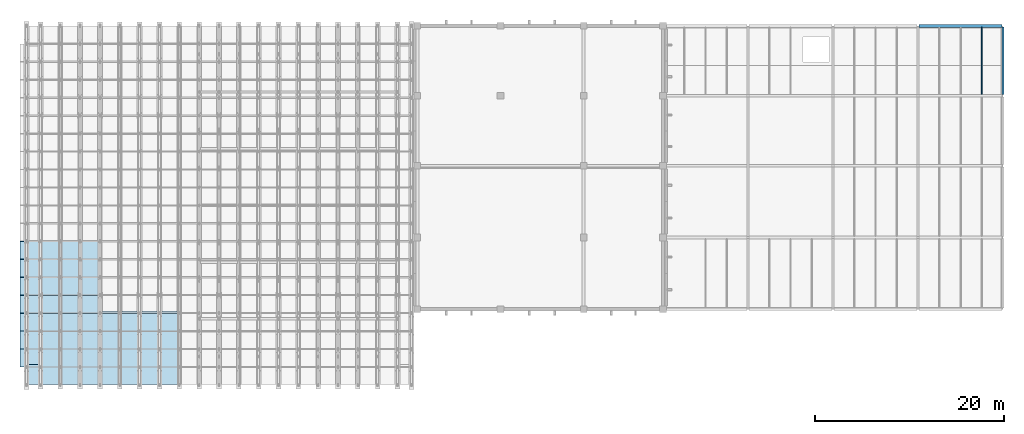
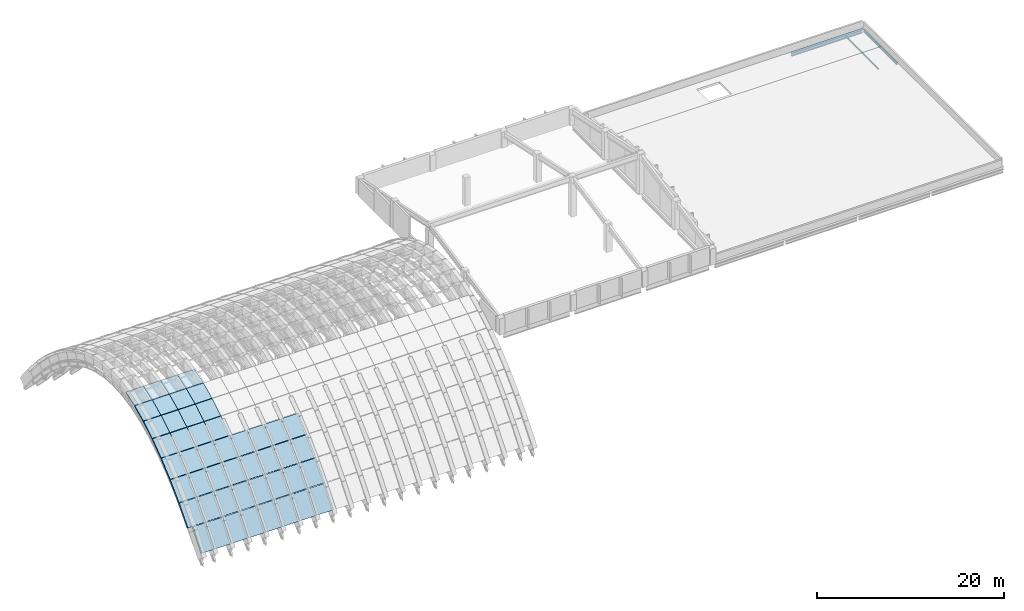
# One storey, part 50 of 67: 48 plates, 3 beams, 1 element without a shape of its own.
"""IFC4 building model written with IfcOpenShell, lengths in metres."""

from ifc_helpers import new_model, si_unit, direction, frame, origin, origin_2d, place, context, subcontext, project, spatial, polyline, i_section, outline, extrude, material, layer, layer_set, material_profile, profile_set, type_object, element, aggregate, save


model = new_model("IFC4")

# Units and contexts
model_context = context("Model", 3, precision=1e-05, world=origin(), true_north=direction((0.0, 1.0)))
body_context = subcontext(model_context, "Body", "Model", "MODEL_VIEW")
ifc_project = project(units=[si_unit("LENGTHUNIT", "METRE"), si_unit("AREAUNIT", "SQUARE_METRE"), si_unit("VOLUMEUNIT", "CUBIC_METRE"), si_unit("PLANEANGLEUNIT", "RADIAN"), si_unit("MASSUNIT", "GRAM", prefix="KILO")], contexts=[model_context])

# Site, building, storey
site_placement = place(None, origin())
site = spatial("IfcSite", under=ifc_project, at=site_placement, CompositionType="ELEMENT")
building_placement = place(site_placement, origin())
building = spatial("IfcBuilding", under=site, at=building_placement, Name="Shengluoqiao Park Theatre", CompositionType="ELEMENT")
storey_placement = place(building_placement, frame((0.0, 0.0, 28.60009765625)))
storey = spatial("IfcBuildingStorey", under=building, at=storey_placement, Name="Roof", CompositionType="ELEMENT", Elevation=28.60009765625)

# Beams
ifc_material_1 = material(Name="Steel Q355", Category="steel")
ifc_material_profile_1 = material_profile(ifc_material_1, i_section(OverallWidth=0.199951171875, OverallDepth=0.2939453125, WebThickness=0.008056640625, FlangeThickness=0.011962890625, FilletRadius=0.01611328125, at=origin_2d()), Name="HM 294x200x8x12")
ifc_profile_set_1 = profile_set([ifc_material_profile_1], Name="Steel Q355")
beam_type_1 = type_object("IfcBeamType", Name="STR-BM-G-HM294", PredefinedType="BEAM", material=ifc_profile_set_1)
beam_1_placement = place(storey_placement, frame((148.39990234375, 106.718994140625, -0.397216796875), z_axis=(0.0, 1.0, 0.0), x_axis=(-1.0, 0.0, 0.0)))
element("IfcBeam", 1, at=beam_1_placement, inside=storey, type_object=beam_type_1, Name="Roof Transverse Girder 02079", PredefinedType="BEAM", context=body_context, shape_type="SweptSolid", body=[
    extrude(i_section(OverallWidth=0.199951171875, OverallDepth=0.2939453125, WebThickness=0.008056640625, FlangeThickness=0.011962890625, FilletRadius=0.01611328125, at=origin_2d()), origin(), (0.0, 0.0, 1.0), 7.162109375),
])
ifc_material_profile_2 = material_profile(ifc_material_1, i_section(OverallWidth=0.300048828125, OverallDepth=0.43994140625, WebThickness=0.010986328125, FlangeThickness=0.01806640625, FilletRadius=0.02001953125, at=origin_2d()), Name="HM 440x300x11x18")
ifc_profile_set_2 = profile_set([ifc_material_profile_2], Name="Steel Q355")
beam_type_2 = type_object("IfcBeamType", Name="STR-BM-G-HM440", PredefinedType="BEAM", material=ifc_profile_set_2)
beam_2_placement = place(storey_placement, frame((139.51904296875, 114.0, -0.47021484375), z_axis=(1.0, 0.0, 0.0), x_axis=(0.0, 1.0, 0.0)))
element("IfcBeam", 2, at=beam_2_placement, inside=storey, type_object=beam_type_2, Name="Roof Primary Girder 02060", PredefinedType="BEAM", context=body_context, shape_type="SweptSolid", body=[
    extrude(i_section(OverallWidth=0.300048828125, OverallDepth=0.43994140625, WebThickness=0.010986328125, FlangeThickness=0.01806640625, FilletRadius=0.02001953125, at=origin_2d()), origin(), (0.0, 0.0, 1.0), 8.761962890625),
])
ifc_material_profile_3 = material_profile(ifc_material_1, i_section(OverallWidth=0.10009765625, OverallDepth=0.199951171875, WebThickness=0.005615234375, FlangeThickness=0.008056640625, FilletRadius=0.008056640625, at=origin_2d()), Name="HN 200x100x5.5x8")
ifc_profile_set_3 = profile_set([ifc_material_profile_3], Name="Steel Q355")
beam_type_3 = type_object("IfcBeamType", Name="STR-BM-J-HN200", PredefinedType="JOIST", material=ifc_profile_set_3)
beam_3_placement = place(storey_placement, frame((146.14990234375, 106.7451171875, -0.35009765625), z_axis=(0.0, 1.0, 0.0), x_axis=(-1.0, 0.0, 0.0)))
element("IfcBeam", 3, at=beam_3_placement, inside=storey, type_object=beam_type_3, Name="Roof Composite Joist 02113", PredefinedType="JOIST", context=body_context, shape_type="SweptSolid", body=[
    extrude(i_section(OverallWidth=0.10009765625, OverallDepth=0.199951171875, WebThickness=0.005615234375, FlangeThickness=0.008056640625, FilletRadius=0.008056640625, at=origin_2d()), origin(), (0.0, 0.0, 1.0), 7.10986328125),
])

# Roof, plates
ifc_material_2 = material(Name="Concrete C50", Category="concrete")
roof_type = type_object("IfcRoofType", Name="STR-ROOF-BARREL", PredefinedType="BARREL_ROOF", material=ifc_material_2)
roof_placement = place(storey_placement, origin())
roof = element("IfcRoof", 4, at=roof_placement, inside=storey, type_object=roof_type, Name="Main Theatre Barrel-Vault Thin-Shell Roof", PredefinedType="BARREL_ROOF")
ifc_layer_1 = layer(ifc_material_2, 0.340087890625, Name="Concrete C50")
ifc_layer_set_1 = layer_set([ifc_layer_1], Name="Concrete C50")
plate_type_1 = type_object("IfcPlateType", Name="STR-SHP-SP-01", PredefinedType="USERDEFINED", material=ifc_layer_set_1)
plate_1_placement = place(storey_placement, frame((44.97998046875, 76.01806640625, -9.376220703125), z_axis=(0.0, -0.783285756394, 0.621661824331), x_axis=(1.0, 0.0, 0.0)))
plate_1 = element("IfcPlate", 5, at=plate_1_placement, type_object=plate_type_1, Name="Barrel-Vault Shell Panel B01-S01", ObjectType="SHELL PANEL", PredefinedType="USERDEFINED", context=body_context, shape_type="SweptSolid", body=[
    extrude(outline(polyline([(0.0, 0.0), (1.52001953125, 0.0), (1.52001953125, 2.998436768866167), (0.0, 2.998436768866167), (0.0, 0.0)])), origin(), (0.0, 0.0, -1.0), 0.340087890625),
])
plate_2_placement = place(storey_placement, frame((46.5, 76.01806640625, -9.376220703125), z_axis=(0.0, -0.783285756394, 0.621661824331), x_axis=(1.0, 0.0, 0.0)))
plate_2 = element("IfcPlate", 6, at=plate_2_placement, type_object=plate_type_1, Name="Barrel-Vault Shell Panel B02-S01", ObjectType="SHELL PANEL", PredefinedType="USERDEFINED", context=body_context, shape_type="SweptSolid", body=[
    extrude(outline(polyline([(0.0, 0.0), (2.10009765625, 0.0), (2.10009765625, 2.998436768866167), (0.0, 2.998436768866167), (0.0, 0.0)])), origin(), (0.0, 0.0, -1.0), 0.340087890625),
])
plate_3_placement = place(storey_placement, frame((48.60009765625, 76.01806640625, -9.376220703125), z_axis=(0.0, -0.783285756394, 0.621661824331), x_axis=(1.0, 0.0, 0.0)))
plate_3 = element("IfcPlate", 7, at=plate_3_placement, type_object=plate_type_1, Name="Barrel-Vault Shell Panel B03-S01", ObjectType="SHELL PANEL", PredefinedType="USERDEFINED", context=body_context, shape_type="SweptSolid", body=[
    extrude(outline(polyline([(0.0, 0.0), (2.099853515625, 0.0), (2.099853515625, 2.9984367688661675), (0.0, 2.9984367688661675), (0.0, 0.0)])), origin(), (0.0, 0.0, -1.0), 0.340087890625),
])
plate_4_placement = place(storey_placement, frame((50.699951171875, 76.01806640625, -9.376220703125), z_axis=(0.0, -0.783285756394, 0.621661824331), x_axis=(1.0, 0.0, 0.0)))
plate_4 = element("IfcPlate", 8, at=plate_4_placement, type_object=plate_type_1, Name="Barrel-Vault Shell Panel B04-S01", ObjectType="SHELL PANEL", PredefinedType="USERDEFINED", context=body_context, shape_type="SweptSolid", body=[
    extrude(outline(polyline([(0.0, 0.0), (2.10009765625, 0.0), (2.10009765625, 2.998436768866167), (0.0, 2.998436768866167), (0.0, 0.0)])), origin(), (0.0, 0.0, -1.0), 0.340087890625),
])
plate_5_placement = place(storey_placement, frame((52.800048828125, 76.01806640625, -9.376220703125), z_axis=(0.0, -0.783285756394, 0.621661824331), x_axis=(1.0, 0.0, 0.0)))
plate_5 = element("IfcPlate", 9, at=plate_5_placement, type_object=plate_type_1, Name="Barrel-Vault Shell Panel B05-S01", ObjectType="SHELL PANEL", PredefinedType="USERDEFINED", context=body_context, shape_type="SweptSolid", body=[
    extrude(outline(polyline([(0.0, 0.0), (2.099853515625, 0.0), (2.099853515625, 2.9984367688661675), (0.0, 2.9984367688661675), (0.0, 0.0)])), origin(), (0.0, 0.0, -1.0), 0.340087890625),
])
plate_6_placement = place(storey_placement, frame((54.89990234375, 76.01806640625, -9.376220703125), z_axis=(0.0, -0.783285756394, 0.621661824331), x_axis=(1.0, 0.0, 0.0)))
plate_6 = element("IfcPlate", 10, at=plate_6_placement, type_object=plate_type_1, Name="Barrel-Vault Shell Panel B06-S01", ObjectType="SHELL PANEL", PredefinedType="USERDEFINED", context=body_context, shape_type="SweptSolid", body=[
    extrude(outline(polyline([(0.0, 0.0), (2.10009765625, 0.0), (2.10009765625, 2.998436768866167), (0.0, 2.998436768866167), (0.0, 0.0)])), origin(), (0.0, 0.0, -1.0), 0.340087890625),
])
plate_7_placement = place(storey_placement, frame((57.0, 76.01806640625, -9.376220703125), z_axis=(0.0, -0.783285756394, 0.621661824331), x_axis=(1.0, 0.0, 0.0)))
plate_7 = element("IfcPlate", 11, at=plate_7_placement, type_object=plate_type_1, Name="Barrel-Vault Shell Panel B07-S01", ObjectType="SHELL PANEL", PredefinedType="USERDEFINED", context=body_context, shape_type="SweptSolid", body=[
    extrude(outline(polyline([(0.0, 0.0), (2.10009765625, 0.0), (2.10009765625, 2.998436768866167), (0.0, 2.998436768866167), (0.0, 0.0)])), origin(), (0.0, 0.0, -1.0), 0.340087890625),
])
plate_8_placement = place(storey_placement, frame((59.10009765625, 76.01806640625, -9.376220703125), z_axis=(0.0, -0.783285756394, 0.621661824331), x_axis=(1.0, 0.0, 0.0)))
plate_8 = element("IfcPlate", 12, at=plate_8_placement, type_object=plate_type_1, Name="Barrel-Vault Shell Panel B08-S01", ObjectType="SHELL PANEL", PredefinedType="USERDEFINED", context=body_context, shape_type="SweptSolid", body=[
    extrude(outline(polyline([(0.0, 0.0), (2.099853515625, 0.0), (2.099853515625, 2.9984367688661675), (0.0, 2.9984367688661675), (0.0, 0.0)])), origin(), (0.0, 0.0, -1.0), 0.340087890625),
])
ifc_layer_2 = layer(ifc_material_2, 0.31005859375, Name="Concrete C50")
ifc_layer_set_2 = layer_set([ifc_layer_2], Name="Concrete C50")
plate_type_2 = type_object("IfcPlateType", Name="STR-SHP-SP-02", PredefinedType="USERDEFINED", material=ifc_layer_set_2)
plate_9_placement = place(storey_placement, frame((44.340087890625, 77.91796875, -6.984619140625), z_axis=(0.0, -0.7480850773, 0.663602830857), x_axis=(1.0, 0.0, 0.0)))
plate_9 = element("IfcPlate", 13, at=plate_9_placement, type_object=plate_type_2, Name="Barrel-Vault Shell Panel B01-S02", ObjectType="SHELL PANEL", PredefinedType="USERDEFINED", context=body_context, shape_type="SweptSolid", body=[
    extrude(outline(polyline([(0.0, 0.0), (2.159912109375, 0.0), (2.159912109375, 2.8089296567168356), (0.0, 2.8089296567168356), (0.0, 0.0)])), origin(), (0.0, 0.0, -1.0), 0.31005859375),
])
plate_10_placement = place(storey_placement, frame((46.5, 77.91796875, -6.984619140625), z_axis=(0.0, -0.7480850773, 0.663602830857), x_axis=(1.0, 0.0, 0.0)))
plate_10 = element("IfcPlate", 14, at=plate_10_placement, type_object=plate_type_2, Name="Barrel-Vault Shell Panel B02-S02", ObjectType="SHELL PANEL", PredefinedType="USERDEFINED", context=body_context, shape_type="SweptSolid", body=[
    extrude(outline(polyline([(0.0, 0.0), (2.10009765625, 0.0), (2.10009765625, 2.808929656716836), (0.0, 2.808929656716836), (0.0, 0.0)])), origin(), (0.0, 0.0, -1.0), 0.31005859375),
])
plate_11_placement = place(storey_placement, frame((48.60009765625, 77.91796875, -6.984619140625), z_axis=(0.0, -0.7480850773, 0.663602830857), x_axis=(1.0, 0.0, 0.0)))
plate_11 = element("IfcPlate", 15, at=plate_11_placement, type_object=plate_type_2, Name="Barrel-Vault Shell Panel B03-S02", ObjectType="SHELL PANEL", PredefinedType="USERDEFINED", context=body_context, shape_type="SweptSolid", body=[
    extrude(outline(polyline([(0.0, 0.0), (2.099853515625, 0.0), (2.099853515625, 2.8089296567168356), (0.0, 2.8089296567168356), (0.0, 0.0)])), origin(), (0.0, 0.0, -1.0), 0.31005859375),
])
plate_12_placement = place(storey_placement, frame((50.699951171875, 77.91796875, -6.984619140625), z_axis=(0.0, -0.7480850773, 0.663602830857), x_axis=(1.0, 0.0, 0.0)))
plate_12 = element("IfcPlate", 16, at=plate_12_placement, type_object=plate_type_2, Name="Barrel-Vault Shell Panel B04-S02", ObjectType="SHELL PANEL", PredefinedType="USERDEFINED", context=body_context, shape_type="SweptSolid", body=[
    extrude(outline(polyline([(0.0, 0.0), (2.10009765625, 0.0), (2.10009765625, 2.808929656716836), (0.0, 2.808929656716836), (0.0, 0.0)])), origin(), (0.0, 0.0, -1.0), 0.31005859375),
])
plate_13_placement = place(storey_placement, frame((52.800048828125, 77.91796875, -6.984619140625), z_axis=(0.0, -0.7480850773, 0.663602830857), x_axis=(1.0, 0.0, 0.0)))
plate_13 = element("IfcPlate", 17, at=plate_13_placement, type_object=plate_type_2, Name="Barrel-Vault Shell Panel B05-S02", ObjectType="SHELL PANEL", PredefinedType="USERDEFINED", context=body_context, shape_type="SweptSolid", body=[
    extrude(outline(polyline([(0.0, 0.0), (2.099853515625, 0.0), (2.099853515625, 2.8089296567168356), (0.0, 2.8089296567168356), (0.0, 0.0)])), origin(), (0.0, 0.0, -1.0), 0.31005859375),
])
plate_14_placement = place(storey_placement, frame((54.89990234375, 77.91796875, -6.984619140625), z_axis=(0.0, -0.7480850773, 0.663602830857), x_axis=(1.0, 0.0, 0.0)))
plate_14 = element("IfcPlate", 18, at=plate_14_placement, type_object=plate_type_2, Name="Barrel-Vault Shell Panel B06-S02", ObjectType="SHELL PANEL", PredefinedType="USERDEFINED", context=body_context, shape_type="SweptSolid", body=[
    extrude(outline(polyline([(0.0, 0.0), (2.10009765625, 0.0), (2.10009765625, 2.808929656716836), (0.0, 2.808929656716836), (0.0, 0.0)])), origin(), (0.0, 0.0, -1.0), 0.31005859375),
])
plate_15_placement = place(storey_placement, frame((57.0, 77.91796875, -6.984619140625), z_axis=(0.0, -0.7480850773, 0.663602830857), x_axis=(1.0, 0.0, 0.0)))
plate_15 = element("IfcPlate", 19, at=plate_15_placement, type_object=plate_type_2, Name="Barrel-Vault Shell Panel B07-S02", ObjectType="SHELL PANEL", PredefinedType="USERDEFINED", context=body_context, shape_type="SweptSolid", body=[
    extrude(outline(polyline([(0.0, 0.0), (2.10009765625, 0.0), (2.10009765625, 2.808929656716836), (0.0, 2.808929656716836), (0.0, 0.0)])), origin(), (0.0, 0.0, -1.0), 0.31005859375),
])
plate_16_placement = place(storey_placement, frame((59.10009765625, 77.91796875, -6.984619140625), z_axis=(0.0, -0.7480850773, 0.663602830857), x_axis=(1.0, 0.0, 0.0)))
plate_16 = element("IfcPlate", 20, at=plate_16_placement, type_object=plate_type_2, Name="Barrel-Vault Shell Panel B08-S02", ObjectType="SHELL PANEL", PredefinedType="USERDEFINED", context=body_context, shape_type="SweptSolid", body=[
    extrude(outline(polyline([(0.0, 0.0), (2.099853515625, 0.0), (2.099853515625, 2.8089296567168356), (0.0, 2.8089296567168356), (0.0, 0.0)])), origin(), (0.0, 0.0, -1.0), 0.31005859375),
])
ifc_layer_3 = layer(ifc_material_2, 0.280029296875, Name="Concrete C50")
ifc_layer_set_3 = layer_set([ifc_layer_3], Name="Concrete C50")
plate_type_3 = type_object("IfcPlateType", Name="STR-SHP-SP-03", PredefinedType="USERDEFINED", material=ifc_layer_set_3)
plate_17_placement = place(storey_placement, frame((44.340087890625, 79.818115234375, -4.844970703125), z_axis=(0.0, -0.705293636194, 0.708915288835), x_axis=(1.0, 0.0, 0.0)))
plate_17 = element("IfcPlate", 21, at=plate_17_placement, type_object=plate_type_3, Name="Barrel-Vault Shell Panel B01-S03", ObjectType="SHELL PANEL", PredefinedType="USERDEFINED", context=body_context, shape_type="SweptSolid", body=[
    extrude(outline(polyline([(0.0, 0.0), (2.159912109375, 0.0), (2.159912109375, 2.6290440629543657), (0.0, 2.6290440629543657), (0.0, 0.0)])), origin(), (0.0, 0.0, -1.0), 0.280029296875),
])
plate_18_placement = place(storey_placement, frame((46.5, 79.818115234375, -4.844970703125), z_axis=(0.0, -0.705293636194, 0.708915288835), x_axis=(1.0, 0.0, 0.0)))
plate_18 = element("IfcPlate", 22, at=plate_18_placement, type_object=plate_type_3, Name="Barrel-Vault Shell Panel B02-S03", ObjectType="SHELL PANEL", PredefinedType="USERDEFINED", context=body_context, shape_type="SweptSolid", body=[
    extrude(outline(polyline([(0.0, 0.0), (2.10009765625, 0.0), (2.10009765625, 2.629044062954365), (0.0, 2.629044062954365), (0.0, 0.0)])), origin(), (0.0, 0.0, -1.0), 0.280029296875),
])
plate_19_placement = place(storey_placement, frame((48.60009765625, 79.818115234375, -4.844970703125), z_axis=(0.0, -0.705293636194, 0.708915288835), x_axis=(1.0, 0.0, 0.0)))
plate_19 = element("IfcPlate", 23, at=plate_19_placement, type_object=plate_type_3, Name="Barrel-Vault Shell Panel B03-S03", ObjectType="SHELL PANEL", PredefinedType="USERDEFINED", context=body_context, shape_type="SweptSolid", body=[
    extrude(outline(polyline([(0.0, 0.0), (2.099853515625, 0.0), (2.099853515625, 2.629044062954365), (0.0, 2.629044062954365), (0.0, 0.0)])), origin(), (0.0, 0.0, -1.0), 0.280029296875),
])
plate_20_placement = place(storey_placement, frame((50.699951171875, 79.818115234375, -4.844970703125), z_axis=(0.0, -0.705293636194, 0.708915288835), x_axis=(1.0, 0.0, 0.0)))
plate_20 = element("IfcPlate", 24, at=plate_20_placement, type_object=plate_type_3, Name="Barrel-Vault Shell Panel B04-S03", ObjectType="SHELL PANEL", PredefinedType="USERDEFINED", context=body_context, shape_type="SweptSolid", body=[
    extrude(outline(polyline([(0.0, 0.0), (2.10009765625, 0.0), (2.10009765625, 2.629044062954365), (0.0, 2.629044062954365), (0.0, 0.0)])), origin(), (0.0, 0.0, -1.0), 0.280029296875),
])
plate_21_placement = place(storey_placement, frame((52.800048828125, 79.818115234375, -4.844970703125), z_axis=(0.0, -0.705293636194, 0.708915288835), x_axis=(1.0, 0.0, 0.0)))
plate_21 = element("IfcPlate", 25, at=plate_21_placement, type_object=plate_type_3, Name="Barrel-Vault Shell Panel B05-S03", ObjectType="SHELL PANEL", PredefinedType="USERDEFINED", context=body_context, shape_type="SweptSolid", body=[
    extrude(outline(polyline([(0.0, 0.0), (2.099853515625, 0.0), (2.099853515625, 2.629044062954365), (0.0, 2.629044062954365), (0.0, 0.0)])), origin(), (0.0, 0.0, -1.0), 0.280029296875),
])
plate_22_placement = place(storey_placement, frame((54.89990234375, 79.818115234375, -4.844970703125), z_axis=(0.0, -0.705293636194, 0.708915288835), x_axis=(1.0, 0.0, 0.0)))
plate_22 = element("IfcPlate", 26, at=plate_22_placement, type_object=plate_type_3, Name="Barrel-Vault Shell Panel B06-S03", ObjectType="SHELL PANEL", PredefinedType="USERDEFINED", context=body_context, shape_type="SweptSolid", body=[
    extrude(outline(polyline([(0.0, 0.0), (2.10009765625, 0.0), (2.10009765625, 2.629044062954365), (0.0, 2.629044062954365), (0.0, 0.0)])), origin(), (0.0, 0.0, -1.0), 0.280029296875),
])
plate_23_placement = place(storey_placement, frame((57.0, 79.818115234375, -4.844970703125), z_axis=(0.0, -0.705293636194, 0.708915288835), x_axis=(1.0, 0.0, 0.0)))
plate_23 = element("IfcPlate", 27, at=plate_23_placement, type_object=plate_type_3, Name="Barrel-Vault Shell Panel B07-S03", ObjectType="SHELL PANEL", PredefinedType="USERDEFINED", context=body_context, shape_type="SweptSolid", body=[
    extrude(outline(polyline([(0.0, 0.0), (2.10009765625, 0.0), (2.10009765625, 2.629044062954365), (0.0, 2.629044062954365), (0.0, 0.0)])), origin(), (0.0, 0.0, -1.0), 0.280029296875),
])
plate_24_placement = place(storey_placement, frame((59.10009765625, 79.818115234375, -4.844970703125), z_axis=(0.0, -0.705293636194, 0.708915288835), x_axis=(1.0, 0.0, 0.0)))
plate_24 = element("IfcPlate", 28, at=plate_24_placement, type_object=plate_type_3, Name="Barrel-Vault Shell Panel B08-S03", ObjectType="SHELL PANEL", PredefinedType="USERDEFINED", context=body_context, shape_type="SweptSolid", body=[
    extrude(outline(polyline([(0.0, 0.0), (2.099853515625, 0.0), (2.099853515625, 2.629044062954365), (0.0, 2.629044062954365), (0.0, 0.0)])), origin(), (0.0, 0.0, -1.0), 0.280029296875),
])
ifc_layer_4 = layer(ifc_material_2, 0.25, Name="Concrete C50")
ifc_layer_set_4 = layer_set([ifc_layer_4], Name="Concrete C50")
plate_type_4 = type_object("IfcPlateType", Name="STR-SHP-SP-04", PredefinedType="USERDEFINED", material=ifc_layer_set_4)
plate_25_placement = place(storey_placement, frame((44.340087890625, 81.718017578125, -2.95751953125), z_axis=(0.0, -0.653002411915, 0.757355827886), x_axis=(1.0, 0.0, 0.0)))
plate_25 = element("IfcPlate", 29, at=plate_25_placement, type_object=plate_type_4, Name="Barrel-Vault Shell Panel B01-S04", ObjectType="SHELL PANEL", PredefinedType="USERDEFINED", context=body_context, shape_type="SweptSolid", body=[
    extrude(outline(polyline([(0.0, 0.0), (2.159912109375, 0.0), (2.159912109375, 2.461212554577048), (0.0, 2.461212554577048), (0.0, 0.0)])), origin(), (0.0, 0.0, -1.0), 0.25),
])
plate_26_placement = place(storey_placement, frame((46.5, 81.718017578125, -2.95751953125), z_axis=(0.0, -0.653002411915, 0.757355827886), x_axis=(1.0, 0.0, 0.0)))
plate_26 = element("IfcPlate", 30, at=plate_26_placement, type_object=plate_type_4, Name="Barrel-Vault Shell Panel B02-S04", ObjectType="SHELL PANEL", PredefinedType="USERDEFINED", context=body_context, shape_type="SweptSolid", body=[
    extrude(outline(polyline([(0.0, 0.0), (2.10009765625, 0.0), (2.10009765625, 2.461212554577048), (0.0, 2.461212554577048), (0.0, 0.0)])), origin(), (0.0, 0.0, -1.0), 0.25),
])
plate_27_placement = place(storey_placement, frame((48.60009765625, 81.718017578125, -2.95751953125), z_axis=(0.0, -0.653002411915, 0.757355827886), x_axis=(1.0, 0.0, 0.0)))
plate_27 = element("IfcPlate", 31, at=plate_27_placement, type_object=plate_type_4, Name="Barrel-Vault Shell Panel B03-S04", ObjectType="SHELL PANEL", PredefinedType="USERDEFINED", context=body_context, shape_type="SweptSolid", body=[
    extrude(outline(polyline([(0.0, 0.0), (2.099853515625, 0.0), (2.099853515625, 2.461212554577048), (0.0, 2.461212554577048), (0.0, 0.0)])), origin(), (0.0, 0.0, -1.0), 0.25),
])
plate_28_placement = place(storey_placement, frame((50.699951171875, 81.718017578125, -2.95751953125), z_axis=(0.0, -0.653002411915, 0.757355827886), x_axis=(1.0, 0.0, 0.0)))
plate_28 = element("IfcPlate", 32, at=plate_28_placement, type_object=plate_type_4, Name="Barrel-Vault Shell Panel B04-S04", ObjectType="SHELL PANEL", PredefinedType="USERDEFINED", context=body_context, shape_type="SweptSolid", body=[
    extrude(outline(polyline([(0.0, 0.0), (2.10009765625, 0.0), (2.10009765625, 2.461212554577048), (0.0, 2.461212554577048), (0.0, 0.0)])), origin(), (0.0, 0.0, -1.0), 0.25),
])
plate_29_placement = place(storey_placement, frame((52.800048828125, 81.718017578125, -2.95751953125), z_axis=(0.0, -0.653002411915, 0.757355827886), x_axis=(1.0, 0.0, 0.0)))
plate_29 = element("IfcPlate", 33, at=plate_29_placement, type_object=plate_type_4, Name="Barrel-Vault Shell Panel B05-S04", ObjectType="SHELL PANEL", PredefinedType="USERDEFINED", context=body_context, shape_type="SweptSolid", body=[
    extrude(outline(polyline([(0.0, 0.0), (2.099853515625, 0.0), (2.099853515625, 2.461212554577048), (0.0, 2.461212554577048), (0.0, 0.0)])), origin(), (0.0, 0.0, -1.0), 0.25),
])
plate_30_placement = place(storey_placement, frame((54.89990234375, 81.718017578125, -2.95751953125), z_axis=(0.0, -0.653002411915, 0.757355827886), x_axis=(1.0, 0.0, 0.0)))
plate_30 = element("IfcPlate", 34, at=plate_30_placement, type_object=plate_type_4, Name="Barrel-Vault Shell Panel B06-S04", ObjectType="SHELL PANEL", PredefinedType="USERDEFINED", context=body_context, shape_type="SweptSolid", body=[
    extrude(outline(polyline([(0.0, 0.0), (2.10009765625, 0.0), (2.10009765625, 2.461212554577048), (0.0, 2.461212554577048), (0.0, 0.0)])), origin(), (0.0, 0.0, -1.0), 0.25),
])
plate_31_placement = place(storey_placement, frame((57.0, 81.718017578125, -2.95751953125), z_axis=(0.0, -0.653002411915, 0.757355827886), x_axis=(1.0, 0.0, 0.0)))
plate_31 = element("IfcPlate", 35, at=plate_31_placement, type_object=plate_type_4, Name="Barrel-Vault Shell Panel B07-S04", ObjectType="SHELL PANEL", PredefinedType="USERDEFINED", context=body_context, shape_type="SweptSolid", body=[
    extrude(outline(polyline([(0.0, 0.0), (2.10009765625, 0.0), (2.10009765625, 2.461212554577048), (0.0, 2.461212554577048), (0.0, 0.0)])), origin(), (0.0, 0.0, -1.0), 0.25),
])
plate_32_placement = place(storey_placement, frame((59.10009765625, 81.718017578125, -2.95751953125), z_axis=(0.0, -0.653002411915, 0.757355827886), x_axis=(1.0, 0.0, 0.0)))
plate_32 = element("IfcPlate", 36, at=plate_32_placement, type_object=plate_type_4, Name="Barrel-Vault Shell Panel B08-S04", ObjectType="SHELL PANEL", PredefinedType="USERDEFINED", context=body_context, shape_type="SweptSolid", body=[
    extrude(outline(polyline([(0.0, 0.0), (2.099853515625, 0.0), (2.099853515625, 2.461212554577048), (0.0, 2.461212554577048), (0.0, 0.0)])), origin(), (0.0, 0.0, -1.0), 0.25),
])
ifc_layer_5 = layer(ifc_material_2, 0.219970703125, Name="Concrete C50")
ifc_layer_set_5 = layer_set([ifc_layer_5], Name="Concrete C50")
plate_type_5 = type_object("IfcPlateType", Name="STR-SHP-SP-05", PredefinedType="USERDEFINED", material=ifc_layer_set_5)
plate_33_placement = place(storey_placement, frame((44.340087890625, 83.617919921875, -1.32177734375), z_axis=(0.0, -0.589297368188, 0.807916215858), x_axis=(1.0, 0.0, 0.0)))
plate_33 = element("IfcPlate", 37, at=plate_33_placement, type_object=plate_type_5, Name="Barrel-Vault Shell Panel B01-S05", ObjectType="SHELL PANEL", PredefinedType="USERDEFINED", context=body_context, shape_type="SweptSolid", body=[
    extrude(outline(polyline([(0.0, 0.0), (2.159912109375, 0.0), (2.159912109375, 2.3071868533976145), (0.0, 2.3071868533976145), (0.0, 0.0)])), origin(), (0.0, 0.0, -1.0), 0.219970703125),
])
plate_34_placement = place(storey_placement, frame((46.5, 83.617919921875, -1.32177734375), z_axis=(0.0, -0.589297368188, 0.807916215858), x_axis=(1.0, 0.0, 0.0)))
plate_34 = element("IfcPlate", 38, at=plate_34_placement, type_object=plate_type_5, Name="Barrel-Vault Shell Panel B02-S05", ObjectType="SHELL PANEL", PredefinedType="USERDEFINED", context=body_context, shape_type="SweptSolid", body=[
    extrude(outline(polyline([(0.0, 0.0), (2.10009765625, 0.0), (2.10009765625, 2.307186853397614), (0.0, 2.307186853397614), (0.0, 0.0)])), origin(), (0.0, 0.0, -1.0), 0.219970703125),
])
plate_35_placement = place(storey_placement, frame((48.60009765625, 83.617919921875, -1.32177734375), z_axis=(0.0, -0.589297368188, 0.807916215858), x_axis=(1.0, 0.0, 0.0)))
plate_35 = element("IfcPlate", 39, at=plate_35_placement, type_object=plate_type_5, Name="Barrel-Vault Shell Panel B03-S05", ObjectType="SHELL PANEL", PredefinedType="USERDEFINED", context=body_context, shape_type="SweptSolid", body=[
    extrude(outline(polyline([(0.0, 0.0), (2.099853515625, 0.0), (2.099853515625, 2.307186853397614), (0.0, 2.307186853397614), (0.0, 0.0)])), origin(), (0.0, 0.0, -1.0), 0.219970703125),
])
plate_36_placement = place(storey_placement, frame((50.699951171875, 83.617919921875, -1.32177734375), z_axis=(0.0, -0.589297368188, 0.807916215858), x_axis=(1.0, 0.0, 0.0)))
plate_36 = element("IfcPlate", 40, at=plate_36_placement, type_object=plate_type_5, Name="Barrel-Vault Shell Panel B04-S05", ObjectType="SHELL PANEL", PredefinedType="USERDEFINED", context=body_context, shape_type="SweptSolid", body=[
    extrude(outline(polyline([(0.0, 0.0), (2.10009765625, 0.0), (2.10009765625, 2.307186853397614), (0.0, 2.307186853397614), (0.0, 0.0)])), origin(), (0.0, 0.0, -1.0), 0.219970703125),
])
ifc_layer_6 = layer(ifc_material_2, 0.199951171875, Name="Concrete C50")
ifc_layer_set_6 = layer_set([ifc_layer_6], Name="Concrete C50")
plate_type_6 = type_object("IfcPlateType", Name="STR-SHP-SP-06", PredefinedType="USERDEFINED", material=ifc_layer_set_6)
plate_37_placement = place(storey_placement, frame((44.340087890625, 85.51806640625, 0.061767578125), z_axis=(0.0, -0.512509675023, 0.858681450253), x_axis=(1.0, 0.0, 0.0)))
plate_37 = element("IfcPlate", 41, at=plate_37_placement, type_object=plate_type_6, Name="Barrel-Vault Shell Panel B01-S06", ObjectType="SHELL PANEL", PredefinedType="USERDEFINED", context=body_context, shape_type="SweptSolid", body=[
    extrude(outline(polyline([(0.0, 0.0), (2.159912109375, 0.0), (2.159912109375, 2.1707860014057654), (0.0, 2.1707860014057654), (0.0, 0.0)])), origin(), (0.0, 0.0, -1.0), 0.199951171875),
])
plate_38_placement = place(storey_placement, frame((46.5, 85.51806640625, 0.061767578125), z_axis=(0.0, -0.512509675023, 0.858681450253), x_axis=(1.0, 0.0, 0.0)))
plate_38 = element("IfcPlate", 42, at=plate_38_placement, type_object=plate_type_6, Name="Barrel-Vault Shell Panel B02-S06", ObjectType="SHELL PANEL", PredefinedType="USERDEFINED", context=body_context, shape_type="SweptSolid", body=[
    extrude(outline(polyline([(0.0, 0.0), (2.10009765625, 0.0), (2.10009765625, 2.1707860014057654), (0.0, 2.1707860014057654), (0.0, 0.0)])), origin(), (0.0, 0.0, -1.0), 0.199951171875),
])
plate_39_placement = place(storey_placement, frame((48.60009765625, 85.51806640625, 0.061767578125), z_axis=(0.0, -0.512509675023, 0.858681450253), x_axis=(1.0, 0.0, 0.0)))
plate_39 = element("IfcPlate", 43, at=plate_39_placement, type_object=plate_type_6, Name="Barrel-Vault Shell Panel B03-S06", ObjectType="SHELL PANEL", PredefinedType="USERDEFINED", context=body_context, shape_type="SweptSolid", body=[
    extrude(outline(polyline([(0.0, 0.0), (2.099853515625, 0.0), (2.099853515625, 2.1707860014057654), (0.0, 2.1707860014057654), (0.0, 0.0)])), origin(), (0.0, 0.0, -1.0), 0.199951171875),
])
plate_40_placement = place(storey_placement, frame((50.699951171875, 85.51806640625, 0.061767578125), z_axis=(0.0, -0.512509675023, 0.858681450253), x_axis=(1.0, 0.0, 0.0)))
plate_40 = element("IfcPlate", 44, at=plate_40_placement, type_object=plate_type_6, Name="Barrel-Vault Shell Panel B04-S06", ObjectType="SHELL PANEL", PredefinedType="USERDEFINED", context=body_context, shape_type="SweptSolid", body=[
    extrude(outline(polyline([(0.0, 0.0), (2.10009765625, 0.0), (2.10009765625, 2.1707860014057654), (0.0, 2.1707860014057654), (0.0, 0.0)])), origin(), (0.0, 0.0, -1.0), 0.199951171875),
])
ifc_layer_7 = layer(ifc_material_2, 0.179931640625, Name="Concrete C50")
ifc_layer_set_7 = layer_set([ifc_layer_7], Name="Concrete C50")
plate_type_7 = type_object("IfcPlateType", Name="STR-SHP-SP-07", PredefinedType="USERDEFINED", material=ifc_layer_set_7)
plate_41_placement = place(storey_placement, frame((44.340087890625, 87.41796875, 1.193359375), z_axis=(0.0, -0.421128757918, 0.907000865079), x_axis=(1.0, 0.0, 0.0)))
plate_41 = element("IfcPlate", 45, at=plate_41_placement, type_object=plate_type_7, Name="Barrel-Vault Shell Panel B01-S07", ObjectType="SHELL PANEL", PredefinedType="USERDEFINED", context=body_context, shape_type="SweptSolid", body=[
    extrude(outline(polyline([(0.0, 0.0), (2.159912109375, 0.0), (2.159912109375, 2.0551399051999777), (0.0, 2.0551399051999777), (0.0, 0.0)])), origin(), (0.0, 0.0, -1.0), 0.179931640625),
])
plate_42_placement = place(storey_placement, frame((46.5, 87.41796875, 1.193359375), z_axis=(0.0, -0.421128757918, 0.907000865079), x_axis=(1.0, 0.0, 0.0)))
plate_42 = element("IfcPlate", 46, at=plate_42_placement, type_object=plate_type_7, Name="Barrel-Vault Shell Panel B02-S07", ObjectType="SHELL PANEL", PredefinedType="USERDEFINED", context=body_context, shape_type="SweptSolid", body=[
    extrude(outline(polyline([(0.0, 0.0), (2.10009765625, 0.0), (2.10009765625, 2.0551399051999777), (0.0, 2.0551399051999777), (0.0, 0.0)])), origin(), (0.0, 0.0, -1.0), 0.179931640625),
])
plate_43_placement = place(storey_placement, frame((48.60009765625, 87.41796875, 1.193359375), z_axis=(0.0, -0.421128757918, 0.907000865079), x_axis=(1.0, 0.0, 0.0)))
plate_43 = element("IfcPlate", 47, at=plate_43_placement, type_object=plate_type_7, Name="Barrel-Vault Shell Panel B03-S07", ObjectType="SHELL PANEL", PredefinedType="USERDEFINED", context=body_context, shape_type="SweptSolid", body=[
    extrude(outline(polyline([(0.0, 0.0), (2.099853515625, 0.0), (2.099853515625, 2.055139905199978), (0.0, 2.055139905199978), (0.0, 0.0)])), origin(), (0.0, 0.0, -1.0), 0.179931640625),
])
plate_44_placement = place(storey_placement, frame((50.699951171875, 87.41796875, 1.193359375), z_axis=(0.0, -0.421128757918, 0.907000865079), x_axis=(1.0, 0.0, 0.0)))
plate_44 = element("IfcPlate", 48, at=plate_44_placement, type_object=plate_type_7, Name="Barrel-Vault Shell Panel B04-S07", ObjectType="SHELL PANEL", PredefinedType="USERDEFINED", context=body_context, shape_type="SweptSolid", body=[
    extrude(outline(polyline([(0.0, 0.0), (2.10009765625, 0.0), (2.10009765625, 2.0551399051999777), (0.0, 2.0551399051999777), (0.0, 0.0)])), origin(), (0.0, 0.0, -1.0), 0.179931640625),
])
ifc_layer_8 = layer(ifc_material_2, 0.169921875, Name="Concrete C50")
ifc_layer_set_8 = layer_set([ifc_layer_8], Name="Concrete C50")
plate_type_8 = type_object("IfcPlateType", Name="STR-SHP-SP-08", PredefinedType="USERDEFINED", material=ifc_layer_set_8)
plate_45_placement = place(storey_placement, frame((44.340087890625, 89.318115234375, 2.072998046875), z_axis=(0.0, -0.314810021978, 0.949154702913), x_axis=(1.0, 0.0, 0.0)))
plate_45 = element("IfcPlate", 49, at=plate_45_placement, type_object=plate_type_8, Name="Barrel-Vault Shell Panel B01-S08", ObjectType="SHELL PANEL", PredefinedType="USERDEFINED", context=body_context, shape_type="SweptSolid", body=[
    extrude(outline(polyline([(0.0, 0.0), (2.159912109375, 0.0), (2.159912109375, 1.9636098578338692), (0.0, 1.9636098578338692), (0.0, 0.0)])), origin(), (0.0, 0.0, -1.0), 0.169921875),
])
plate_46_placement = place(storey_placement, frame((46.5, 89.318115234375, 2.072998046875), z_axis=(0.0, -0.314810021978, 0.949154702913), x_axis=(1.0, 0.0, 0.0)))
plate_46 = element("IfcPlate", 50, at=plate_46_placement, type_object=plate_type_8, Name="Barrel-Vault Shell Panel B02-S08", ObjectType="SHELL PANEL", PredefinedType="USERDEFINED", context=body_context, shape_type="SweptSolid", body=[
    extrude(outline(polyline([(0.0, 0.0), (2.10009765625, 0.0), (2.10009765625, 1.9636098578338692), (0.0, 1.9636098578338692), (0.0, 0.0)])), origin(), (0.0, 0.0, -1.0), 0.169921875),
])
plate_47_placement = place(storey_placement, frame((48.60009765625, 89.318115234375, 2.072998046875), z_axis=(0.0, -0.314810021978, 0.949154702913), x_axis=(1.0, 0.0, 0.0)))
plate_47 = element("IfcPlate", 51, at=plate_47_placement, type_object=plate_type_8, Name="Barrel-Vault Shell Panel B03-S08", ObjectType="SHELL PANEL", PredefinedType="USERDEFINED", context=body_context, shape_type="SweptSolid", body=[
    extrude(outline(polyline([(0.0, 0.0), (2.099853515625, 0.0), (2.099853515625, 1.9636098578338692), (0.0, 1.9636098578338692), (0.0, 0.0)])), origin(), (0.0, 0.0, -1.0), 0.169921875),
])
plate_48_placement = place(storey_placement, frame((50.699951171875, 89.318115234375, 2.072998046875), z_axis=(0.0, -0.314810021978, 0.949154702913), x_axis=(1.0, 0.0, 0.0)))
plate_48 = element("IfcPlate", 52, at=plate_48_placement, type_object=plate_type_8, Name="Barrel-Vault Shell Panel B04-S08", ObjectType="SHELL PANEL", PredefinedType="USERDEFINED", context=body_context, shape_type="SweptSolid", body=[
    extrude(outline(polyline([(0.0, 0.0), (2.10009765625, 0.0), (2.10009765625, 1.9636098578338692), (0.0, 1.9636098578338692), (0.0, 0.0)])), origin(), (0.0, 0.0, -1.0), 0.169921875),
])
aggregate(roof, [plate_1, plate_9, plate_17, plate_25, plate_33, plate_37, plate_41, plate_45, plate_2, plate_10, plate_18, plate_26, plate_34, plate_38, plate_42, plate_46, plate_3, plate_11, plate_19, plate_27, plate_35, plate_39, plate_43, plate_47, plate_4, plate_12, plate_20, plate_28, plate_36, plate_40, plate_44, plate_48, plate_5, plate_13, plate_21, plate_29, plate_6, plate_14, plate_22, plate_30, plate_7, plate_15, plate_23, plate_31, plate_8, plate_16, plate_24, plate_32])

save(model, "model.ifc")
